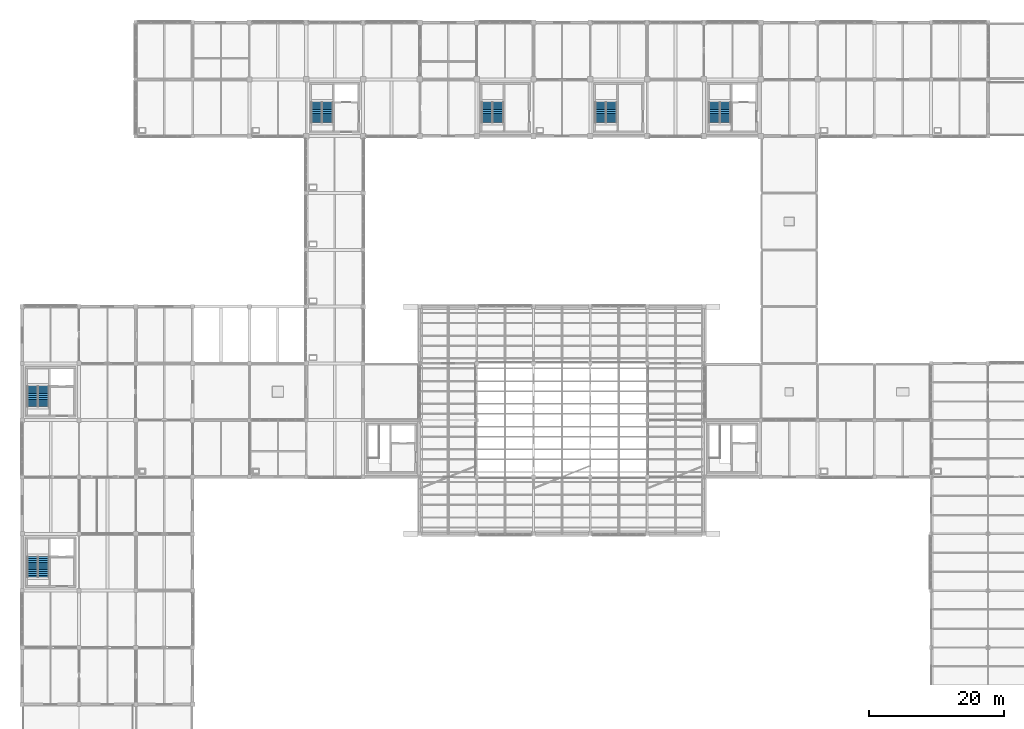
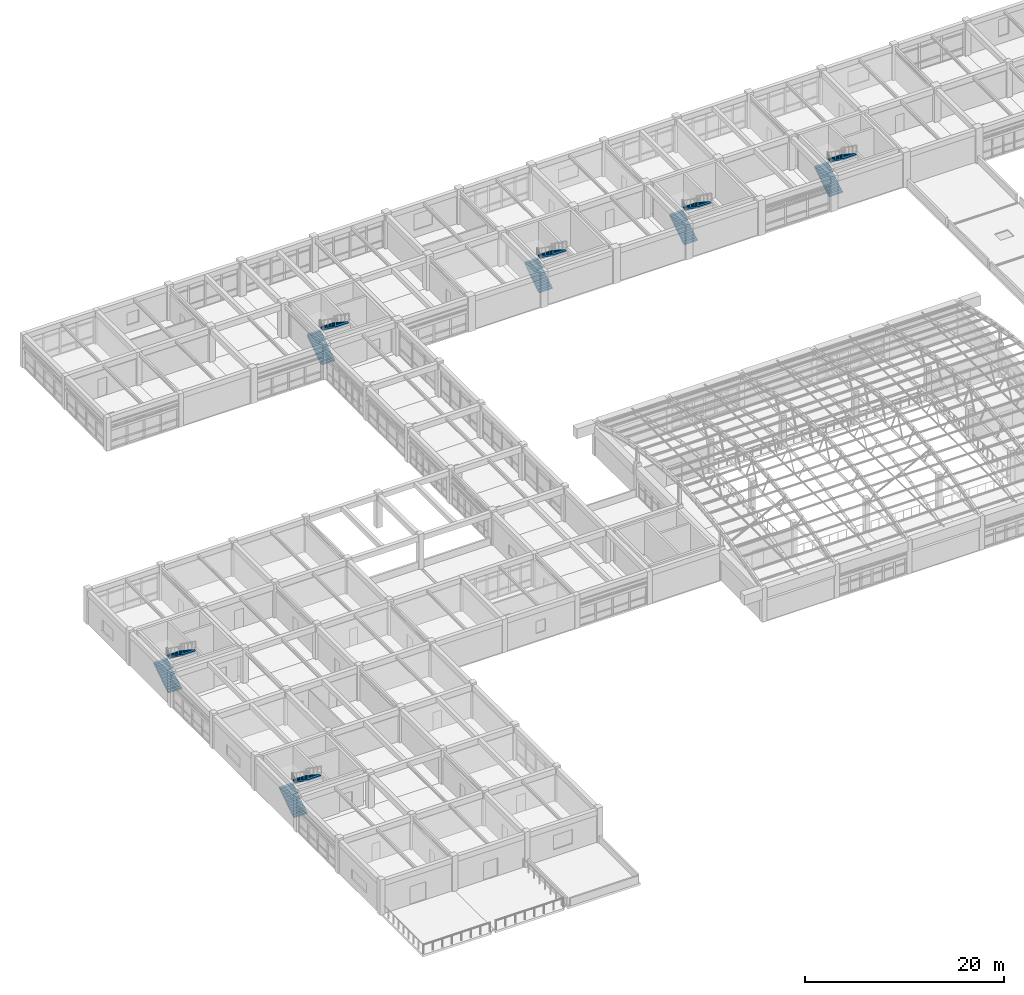
# One storey, part 71 of 74: 12 stair flights, 6 elements without a shape of their own.
"""IFC4 building model written with IfcOpenShell, lengths in metres."""

from ifc_helpers import new_model, si_unit, direction, frame, origin, place, context, subcontext, project, spatial, polyline, outline, extrude, material, layer, layer_set, type_object, element, aggregate, save


model = new_model("IFC4")

# Units and contexts
model_context = context("Model", 3, precision=1e-05, world=origin(), true_north=direction((0.0, 1.0)))
body_context = subcontext(model_context, "Body", "Model", "MODEL_VIEW")
ifc_project = project(units=[si_unit("LENGTHUNIT", "METRE"), si_unit("AREAUNIT", "SQUARE_METRE"), si_unit("VOLUMEUNIT", "CUBIC_METRE"), si_unit("PLANEANGLEUNIT", "RADIAN"), si_unit("MASSUNIT", "GRAM", prefix="KILO")], contexts=[model_context])

# Site, building, storey
site_placement = place(None, origin())
site = spatial("IfcSite", under=ifc_project, at=site_placement, CompositionType="ELEMENT")
building_placement = place(site_placement, origin())
building = spatial("IfcBuilding", under=site, at=building_placement, Name="Porcellanite Civic Hall", CompositionType="ELEMENT")
storey_placement = place(building_placement, frame((0.0, 0.0, 14.760009765625)))
storey = spatial("IfcBuildingStorey", under=building, at=storey_placement, Name="L03", CompositionType="ELEMENT", Elevation=14.760009765625)

# Stair, stair flights
ifc_material_1 = material(Name="Concrete N40 (40 MPa)", Category="concrete")
stair_type = type_object("IfcStairType", Name="STR-HT24", PredefinedType="HALF_TURN_STAIR", material=ifc_material_1)
stair_1_placement = place(storey_placement, origin())
stair_1 = element("IfcStair", 1, at=stair_1_placement, inside=storey, type_object=stair_type, Name="Fire stair ST-01 L03", PredefinedType="HALF_TURN_STAIR")
ifc_material_2 = material(Name="Concrete N40 (40 MPa)", Category="concrete")
ifc_layer = layer(ifc_material_2, 0.199951171875)
ifc_layer_set = layer_set([ifc_layer], Name="Concrete N40 (40 MPa)")
stair_flight_type = type_object("IfcStairFlightType", Name="FLT-154C", PredefinedType="STRAIGHT", material=ifc_layer_set)
stair_flight_1_placement = place(storey_placement, frame((9.9599609375, 35.60009765625, 0.0), z_axis=(0.0, 0.0, 1.0), x_axis=(0.0, 1.0, 0.0)))
stair_flight_1 = element("IfcStairFlight", 2, at=stair_flight_1_placement, type_object=stair_flight_type, Name="ST-01 flight 1", NumberOfRisers=12, NumberOfTreads=11, PredefinedType="STRAIGHT", RiserHeight=0.18, TreadLength=0.275, context=body_context, shape_type="SweptSolid", body=[
    extrude(outline(polyline([(0.0, 0.0), (0.0, 0.179931640625), (0.27490234375, 0.179931640625), (0.27490234375, 0.360107421875), (0.550048828125, 0.360107421875), (0.550048828125, 0.5400390625), (0.824951171875, 0.5400390625), (0.824951171875, 0.719970703125), (1.10009765625, 0.719970703125), (1.10009765625, 0.89990234375), (1.375, 0.89990234375), (1.375, 1.080078125), (1.64990234375, 1.080078125), (1.64990234375, 1.260009765625), (1.925048828125, 1.260009765625), (1.925048828125, 1.43994140625), (2.199951171875, 1.43994140625), (2.199951171875, 1.6201171875), (2.47509765625, 1.6201171875), (2.47509765625, 1.800048828125), (2.75, 1.800048828125), (2.75, 1.97998046875), (3.02490234375, 1.97998046875), (3.02490234375, 2.159912109375), (3.02490234375, 1.764892578125), (0.32861328125, 0.0), (0.0, 0.0)])), frame((0.0, 0.77001953125, 0.0), z_axis=(0.0, -1.0, 0.0), x_axis=(1.0, 0.0, 0.0)), (0.0, 0.0, 1.0), 1.5400390625),
])
stair_flight_2_placement = place(storey_placement, frame((11.5400390625, 38.625, 2.159912109375), z_axis=(0.0, 0.0, 1.0), x_axis=(0.0, -1.0, 0.0)))
stair_flight_2 = element("IfcStairFlight", 3, at=stair_flight_2_placement, type_object=stair_flight_type, Name="ST-01 flight 2", NumberOfRisers=12, NumberOfTreads=11, PredefinedType="STRAIGHT", RiserHeight=0.18, TreadLength=0.275, context=body_context, shape_type="SweptSolid", body=[
    extrude(outline(polyline([(0.0, 0.0), (0.0, 0.179931640625), (0.27490234375, 0.179931640625), (0.27490234375, 0.360107421875), (0.550048828125, 0.360107421875), (0.550048828125, 0.5400390625), (0.824951171875, 0.5400390625), (0.824951171875, 0.719970703125), (1.10009765625, 0.719970703125), (1.10009765625, 0.89990234375), (1.375, 0.89990234375), (1.375, 1.080078125), (1.64990234375, 1.080078125), (1.64990234375, 1.260009765625), (1.925048828125, 1.260009765625), (1.925048828125, 1.43994140625), (2.199951171875, 1.43994140625), (2.199951171875, 1.6201171875), (2.47509765625, 1.6201171875), (2.47509765625, 1.800048828125), (2.75, 1.800048828125), (2.75, 1.97998046875), (3.02490234375, 1.97998046875), (3.02490234375, 2.159912109375), (3.02490234375, 1.764892578125), (0.32861328125, 0.0), (0.0, 0.0)])), frame((0.0, 0.77001953125, 0.0), z_axis=(0.0, -1.0, 0.0), x_axis=(1.0, 0.0, 0.0)), (0.0, 0.0, 1.0), 1.5400390625),
])
aggregate(stair_1, [stair_flight_1, stair_flight_2])

stair_2_placement = place(storey_placement, origin())
stair_2 = element("IfcStair", 4, at=stair_2_placement, inside=storey, type_object=stair_type, Name="Fire stair ST-02 L03", PredefinedType="HALF_TURN_STAIR")
stair_flight_3_placement = place(storey_placement, frame((9.9599609375, 60.800048828125, 0.0), z_axis=(0.0, 0.0, 1.0), x_axis=(0.0, 1.0, 0.0)))
stair_flight_3 = element("IfcStairFlight", 5, at=stair_flight_3_placement, type_object=stair_flight_type, Name="ST-02 flight 1", NumberOfRisers=12, NumberOfTreads=11, PredefinedType="STRAIGHT", RiserHeight=0.18, TreadLength=0.275, context=body_context, shape_type="SweptSolid", body=[
    extrude(outline(polyline([(0.0, 0.0), (0.0, 0.179931640625), (0.27490234375, 0.179931640625), (0.27490234375, 0.360107421875), (0.550048828125, 0.360107421875), (0.550048828125, 0.5400390625), (0.824951171875, 0.5400390625), (0.824951171875, 0.719970703125), (1.10009765625, 0.719970703125), (1.10009765625, 0.89990234375), (1.375, 0.89990234375), (1.375, 1.080078125), (1.64990234375, 1.080078125), (1.64990234375, 1.260009765625), (1.925048828125, 1.260009765625), (1.925048828125, 1.43994140625), (2.199951171875, 1.43994140625), (2.199951171875, 1.6201171875), (2.47509765625, 1.6201171875), (2.47509765625, 1.800048828125), (2.75, 1.800048828125), (2.75, 1.97998046875), (3.02490234375, 1.97998046875), (3.02490234375, 2.159912109375), (3.02490234375, 1.764892578125), (0.32861328125, 0.0), (0.0, 0.0)])), frame((0.0, 0.77001953125, 0.0), z_axis=(0.0, -1.0, 0.0), x_axis=(1.0, 0.0, 0.0)), (0.0, 0.0, 1.0), 1.5400390625),
])
stair_flight_4_placement = place(storey_placement, frame((11.5400390625, 63.824951171875, 2.159912109375), z_axis=(0.0, 0.0, 1.0), x_axis=(0.0, -1.0, 0.0)))
stair_flight_4 = element("IfcStairFlight", 6, at=stair_flight_4_placement, type_object=stair_flight_type, Name="ST-02 flight 2", NumberOfRisers=12, NumberOfTreads=11, PredefinedType="STRAIGHT", RiserHeight=0.18, TreadLength=0.275, context=body_context, shape_type="SweptSolid", body=[
    extrude(outline(polyline([(0.0, 0.0), (0.0, 0.179931640625), (0.27490234375, 0.179931640625), (0.27490234375, 0.360107421875), (0.550048828125, 0.360107421875), (0.550048828125, 0.5400390625), (0.824951171875, 0.5400390625), (0.824951171875, 0.719970703125), (1.10009765625, 0.719970703125), (1.10009765625, 0.89990234375), (1.375, 0.89990234375), (1.375, 1.080078125), (1.64990234375, 1.080078125), (1.64990234375, 1.260009765625), (1.925048828125, 1.260009765625), (1.925048828125, 1.43994140625), (2.199951171875, 1.43994140625), (2.199951171875, 1.6201171875), (2.47509765625, 1.6201171875), (2.47509765625, 1.800048828125), (2.75, 1.800048828125), (2.75, 1.97998046875), (3.02490234375, 1.97998046875), (3.02490234375, 2.159912109375), (3.02490234375, 1.764892578125), (0.32861328125, 0.0), (0.0, 0.0)])), frame((0.0, 0.77001953125, 0.0), z_axis=(0.0, -1.0, 0.0), x_axis=(1.0, 0.0, 0.0)), (0.0, 0.0, 1.0), 1.5400390625),
])
aggregate(stair_2, [stair_flight_3, stair_flight_4])

stair_3_placement = place(storey_placement, origin())
stair_3 = element("IfcStair", 7, at=stair_3_placement, inside=storey, type_object=stair_type, Name="Fire stair ST-03 L03", PredefinedType="HALF_TURN_STAIR")
stair_flight_5_placement = place(storey_placement, frame((51.9599609375, 102.800048828125, 0.0), z_axis=(0.0, 0.0, 1.0), x_axis=(0.0, 1.0, 0.0)))
stair_flight_5 = element("IfcStairFlight", 8, at=stair_flight_5_placement, type_object=stair_flight_type, Name="ST-03 flight 1", NumberOfRisers=12, NumberOfTreads=11, PredefinedType="STRAIGHT", RiserHeight=0.18, TreadLength=0.275, context=body_context, shape_type="SweptSolid", body=[
    extrude(outline(polyline([(0.0, 0.0), (0.0, 0.179931640625), (0.27490234375, 0.179931640625), (0.27490234375, 0.360107421875), (0.550048828125, 0.360107421875), (0.550048828125, 0.5400390625), (0.824951171875, 0.5400390625), (0.824951171875, 0.719970703125), (1.10009765625, 0.719970703125), (1.10009765625, 0.89990234375), (1.375, 0.89990234375), (1.375, 1.080078125), (1.64990234375, 1.080078125), (1.64990234375, 1.260009765625), (1.925048828125, 1.260009765625), (1.925048828125, 1.43994140625), (2.199951171875, 1.43994140625), (2.199951171875, 1.6201171875), (2.47509765625, 1.6201171875), (2.47509765625, 1.800048828125), (2.75, 1.800048828125), (2.75, 1.97998046875), (3.02490234375, 1.97998046875), (3.02490234375, 2.159912109375), (3.02490234375, 1.764892578125), (0.32861328125, 0.0), (0.0, 0.0)])), frame((0.0, 0.77001953125, 0.0), z_axis=(0.0, -1.0, 0.0), x_axis=(1.0, 0.0, 0.0)), (0.0, 0.0, 1.0), 1.5400390625),
])
stair_flight_6_placement = place(storey_placement, frame((53.5400390625, 105.824951171875, 2.159912109375), z_axis=(0.0, 0.0, 1.0), x_axis=(0.0, -1.0, 0.0)))
stair_flight_6 = element("IfcStairFlight", 9, at=stair_flight_6_placement, type_object=stair_flight_type, Name="ST-03 flight 2", NumberOfRisers=12, NumberOfTreads=11, PredefinedType="STRAIGHT", RiserHeight=0.18, TreadLength=0.275, context=body_context, shape_type="SweptSolid", body=[
    extrude(outline(polyline([(0.0, 0.0), (0.0, 0.179931640625), (0.27490234375, 0.179931640625), (0.27490234375, 0.360107421875), (0.550048828125, 0.360107421875), (0.550048828125, 0.5400390625), (0.824951171875, 0.5400390625), (0.824951171875, 0.719970703125), (1.10009765625, 0.719970703125), (1.10009765625, 0.89990234375), (1.375, 0.89990234375), (1.375, 1.080078125), (1.64990234375, 1.080078125), (1.64990234375, 1.260009765625), (1.925048828125, 1.260009765625), (1.925048828125, 1.43994140625), (2.199951171875, 1.43994140625), (2.199951171875, 1.6201171875), (2.47509765625, 1.6201171875), (2.47509765625, 1.800048828125), (2.75, 1.800048828125), (2.75, 1.97998046875), (3.02490234375, 1.97998046875), (3.02490234375, 2.159912109375), (3.02490234375, 1.764892578125), (0.32861328125, 0.0), (0.0, 0.0)])), frame((0.0, 0.77001953125, 0.0), z_axis=(0.0, -1.0, 0.0), x_axis=(1.0, 0.0, 0.0)), (0.0, 0.0, 1.0), 1.5400390625),
])
aggregate(stair_3, [stair_flight_5, stair_flight_6])

stair_4_placement = place(storey_placement, origin())
stair_4 = element("IfcStair", 10, at=stair_4_placement, inside=storey, type_object=stair_type, Name="Fire stair ST-04 L03", PredefinedType="HALF_TURN_STAIR")
stair_flight_7_placement = place(storey_placement, frame((110.760009765625, 102.800048828125, 0.0), z_axis=(0.0, 0.0, 1.0), x_axis=(0.0, 1.0, 0.0)))
stair_flight_7 = element("IfcStairFlight", 11, at=stair_flight_7_placement, type_object=stair_flight_type, Name="ST-04 flight 1", NumberOfRisers=12, NumberOfTreads=11, PredefinedType="STRAIGHT", RiserHeight=0.18, TreadLength=0.275, context=body_context, shape_type="SweptSolid", body=[
    extrude(outline(polyline([(0.0, 0.0), (0.0, 0.179931640625), (0.27490234375, 0.179931640625), (0.27490234375, 0.360107421875), (0.550048828125, 0.360107421875), (0.550048828125, 0.5400390625), (0.824951171875, 0.5400390625), (0.824951171875, 0.719970703125), (1.10009765625, 0.719970703125), (1.10009765625, 0.89990234375), (1.375, 0.89990234375), (1.375, 1.080078125), (1.64990234375, 1.080078125), (1.64990234375, 1.260009765625), (1.925048828125, 1.260009765625), (1.925048828125, 1.43994140625), (2.199951171875, 1.43994140625), (2.199951171875, 1.6201171875), (2.47509765625, 1.6201171875), (2.47509765625, 1.800048828125), (2.75, 1.800048828125), (2.75, 1.97998046875), (3.02490234375, 1.97998046875), (3.02490234375, 2.159912109375), (3.02490234375, 1.764892578125), (0.32861328125, 0.0), (0.0, 0.0)])), frame((0.0, 0.77001953125, 0.0), z_axis=(0.0, -1.0, 0.0), x_axis=(1.0, 0.0, 0.0)), (0.0, 0.0, 1.0), 1.5400390625),
])
stair_flight_8_placement = place(storey_placement, frame((112.340087890625, 105.824951171875, 2.159912109375), z_axis=(0.0, 0.0, 1.0), x_axis=(0.0, -1.0, 0.0)))
stair_flight_8 = element("IfcStairFlight", 12, at=stair_flight_8_placement, type_object=stair_flight_type, Name="ST-04 flight 2", NumberOfRisers=12, NumberOfTreads=11, PredefinedType="STRAIGHT", RiserHeight=0.18, TreadLength=0.275, context=body_context, shape_type="SweptSolid", body=[
    extrude(outline(polyline([(0.0, 0.0), (0.0, 0.179931640625), (0.27490234375, 0.179931640625), (0.27490234375, 0.360107421875), (0.550048828125, 0.360107421875), (0.550048828125, 0.5400390625), (0.824951171875, 0.5400390625), (0.824951171875, 0.719970703125), (1.10009765625, 0.719970703125), (1.10009765625, 0.89990234375), (1.375, 0.89990234375), (1.375, 1.080078125), (1.64990234375, 1.080078125), (1.64990234375, 1.260009765625), (1.925048828125, 1.260009765625), (1.925048828125, 1.43994140625), (2.199951171875, 1.43994140625), (2.199951171875, 1.6201171875), (2.47509765625, 1.6201171875), (2.47509765625, 1.800048828125), (2.75, 1.800048828125), (2.75, 1.97998046875), (3.02490234375, 1.97998046875), (3.02490234375, 2.159912109375), (3.02490234375, 1.764892578125), (0.32861328125, 0.0), (0.0, 0.0)])), frame((0.0, 0.77001953125, 0.0), z_axis=(0.0, -1.0, 0.0), x_axis=(1.0, 0.0, 0.0)), (0.0, 0.0, 1.0), 1.5400390625),
])
aggregate(stair_4, [stair_flight_7, stair_flight_8])

stair_5_placement = place(storey_placement, origin())
stair_5 = element("IfcStair", 13, at=stair_5_placement, inside=storey, type_object=stair_type, Name="Fire stair ST-09 L03", PredefinedType="HALF_TURN_STAIR")
stair_flight_9_placement = place(storey_placement, frame((77.159912109375, 102.800048828125, 0.0), z_axis=(0.0, 0.0, 1.0), x_axis=(0.0, 1.0, 0.0)))
stair_flight_9 = element("IfcStairFlight", 14, at=stair_flight_9_placement, type_object=stair_flight_type, Name="ST-09 flight 1", NumberOfRisers=12, NumberOfTreads=11, PredefinedType="STRAIGHT", RiserHeight=0.18, TreadLength=0.275, context=body_context, shape_type="SweptSolid", body=[
    extrude(outline(polyline([(0.0, 0.0), (0.0, 0.179931640625), (0.27490234375, 0.179931640625), (0.27490234375, 0.360107421875), (0.550048828125, 0.360107421875), (0.550048828125, 0.5400390625), (0.824951171875, 0.5400390625), (0.824951171875, 0.719970703125), (1.10009765625, 0.719970703125), (1.10009765625, 0.89990234375), (1.375, 0.89990234375), (1.375, 1.080078125), (1.64990234375, 1.080078125), (1.64990234375, 1.260009765625), (1.925048828125, 1.260009765625), (1.925048828125, 1.43994140625), (2.199951171875, 1.43994140625), (2.199951171875, 1.6201171875), (2.47509765625, 1.6201171875), (2.47509765625, 1.800048828125), (2.75, 1.800048828125), (2.75, 1.97998046875), (3.02490234375, 1.97998046875), (3.02490234375, 2.159912109375), (3.02490234375, 1.764892578125), (0.32861328125, 0.0), (0.0, 0.0)])), frame((0.0, 0.77001953125, 0.0), z_axis=(0.0, -1.0, 0.0), x_axis=(1.0, 0.0, 0.0)), (0.0, 0.0, 1.0), 1.5400390625),
])
stair_flight_10_placement = place(storey_placement, frame((78.739990234375, 105.824951171875, 2.159912109375), z_axis=(0.0, 0.0, 1.0), x_axis=(0.0, -1.0, 0.0)))
stair_flight_10 = element("IfcStairFlight", 15, at=stair_flight_10_placement, type_object=stair_flight_type, Name="ST-09 flight 2", NumberOfRisers=12, NumberOfTreads=11, PredefinedType="STRAIGHT", RiserHeight=0.18, TreadLength=0.275, context=body_context, shape_type="SweptSolid", body=[
    extrude(outline(polyline([(0.0, 0.0), (0.0, 0.179931640625), (0.27490234375, 0.179931640625), (0.27490234375, 0.360107421875), (0.550048828125, 0.360107421875), (0.550048828125, 0.5400390625), (0.824951171875, 0.5400390625), (0.824951171875, 0.719970703125), (1.10009765625, 0.719970703125), (1.10009765625, 0.89990234375), (1.375, 0.89990234375), (1.375, 1.080078125), (1.64990234375, 1.080078125), (1.64990234375, 1.260009765625), (1.925048828125, 1.260009765625), (1.925048828125, 1.43994140625), (2.199951171875, 1.43994140625), (2.199951171875, 1.6201171875), (2.47509765625, 1.6201171875), (2.47509765625, 1.800048828125), (2.75, 1.800048828125), (2.75, 1.97998046875), (3.02490234375, 1.97998046875), (3.02490234375, 2.159912109375), (3.02490234375, 1.764892578125), (0.32861328125, 0.0), (0.0, 0.0)])), frame((0.0, 0.77001953125, 0.0), z_axis=(0.0, -1.0, 0.0), x_axis=(1.0, 0.0, 0.0)), (0.0, 0.0, 1.0), 1.5400390625),
])
aggregate(stair_5, [stair_flight_9, stair_flight_10])

stair_6_placement = place(storey_placement, origin())
stair_6 = element("IfcStair", 16, at=stair_6_placement, inside=storey, type_object=stair_type, Name="Fire stair ST-10 L03", PredefinedType="HALF_TURN_STAIR")
stair_flight_11_placement = place(storey_placement, frame((93.9599609375, 102.800048828125, 0.0), z_axis=(0.0, 0.0, 1.0), x_axis=(0.0, 1.0, 0.0)))
stair_flight_11 = element("IfcStairFlight", 17, at=stair_flight_11_placement, type_object=stair_flight_type, Name="ST-10 flight 1", NumberOfRisers=12, NumberOfTreads=11, PredefinedType="STRAIGHT", RiserHeight=0.18, TreadLength=0.275, context=body_context, shape_type="SweptSolid", body=[
    extrude(outline(polyline([(0.0, 0.0), (0.0, 0.179931640625), (0.27490234375, 0.179931640625), (0.27490234375, 0.360107421875), (0.550048828125, 0.360107421875), (0.550048828125, 0.5400390625), (0.824951171875, 0.5400390625), (0.824951171875, 0.719970703125), (1.10009765625, 0.719970703125), (1.10009765625, 0.89990234375), (1.375, 0.89990234375), (1.375, 1.080078125), (1.64990234375, 1.080078125), (1.64990234375, 1.260009765625), (1.925048828125, 1.260009765625), (1.925048828125, 1.43994140625), (2.199951171875, 1.43994140625), (2.199951171875, 1.6201171875), (2.47509765625, 1.6201171875), (2.47509765625, 1.800048828125), (2.75, 1.800048828125), (2.75, 1.97998046875), (3.02490234375, 1.97998046875), (3.02490234375, 2.159912109375), (3.02490234375, 1.764892578125), (0.32861328125, 0.0), (0.0, 0.0)])), frame((0.0, 0.77001953125, 0.0), z_axis=(0.0, -1.0, 0.0), x_axis=(1.0, 0.0, 0.0)), (0.0, 0.0, 1.0), 1.5400390625),
])
stair_flight_12_placement = place(storey_placement, frame((95.5400390625, 105.824951171875, 2.159912109375), z_axis=(0.0, 0.0, 1.0), x_axis=(0.0, -1.0, 0.0)))
stair_flight_12 = element("IfcStairFlight", 18, at=stair_flight_12_placement, type_object=stair_flight_type, Name="ST-10 flight 2", NumberOfRisers=12, NumberOfTreads=11, PredefinedType="STRAIGHT", RiserHeight=0.18, TreadLength=0.275, context=body_context, shape_type="SweptSolid", body=[
    extrude(outline(polyline([(0.0, 0.0), (0.0, 0.179931640625), (0.27490234375, 0.179931640625), (0.27490234375, 0.360107421875), (0.550048828125, 0.360107421875), (0.550048828125, 0.5400390625), (0.824951171875, 0.5400390625), (0.824951171875, 0.719970703125), (1.10009765625, 0.719970703125), (1.10009765625, 0.89990234375), (1.375, 0.89990234375), (1.375, 1.080078125), (1.64990234375, 1.080078125), (1.64990234375, 1.260009765625), (1.925048828125, 1.260009765625), (1.925048828125, 1.43994140625), (2.199951171875, 1.43994140625), (2.199951171875, 1.6201171875), (2.47509765625, 1.6201171875), (2.47509765625, 1.800048828125), (2.75, 1.800048828125), (2.75, 1.97998046875), (3.02490234375, 1.97998046875), (3.02490234375, 2.159912109375), (3.02490234375, 1.764892578125), (0.32861328125, 0.0), (0.0, 0.0)])), frame((0.0, 0.77001953125, 0.0), z_axis=(0.0, -1.0, 0.0), x_axis=(1.0, 0.0, 0.0)), (0.0, 0.0, 1.0), 1.5400390625),
])
aggregate(stair_6, [stair_flight_11, stair_flight_12])

save(model, "model.ifc")
